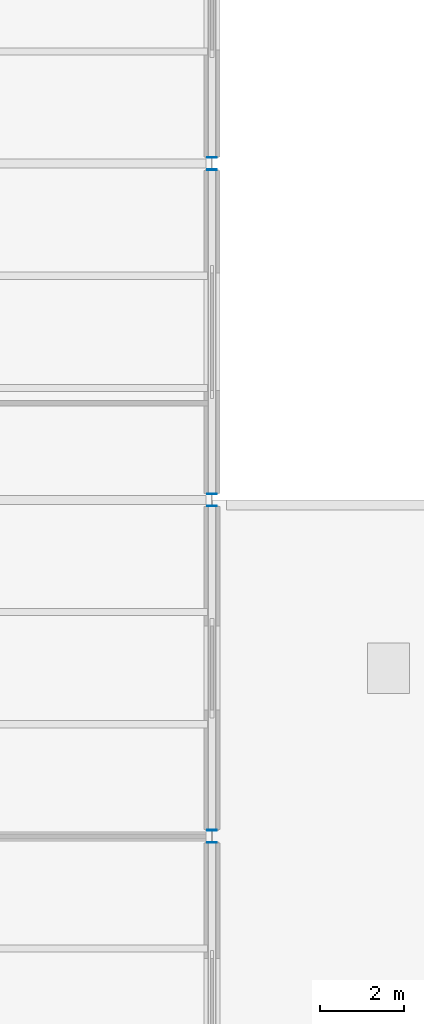
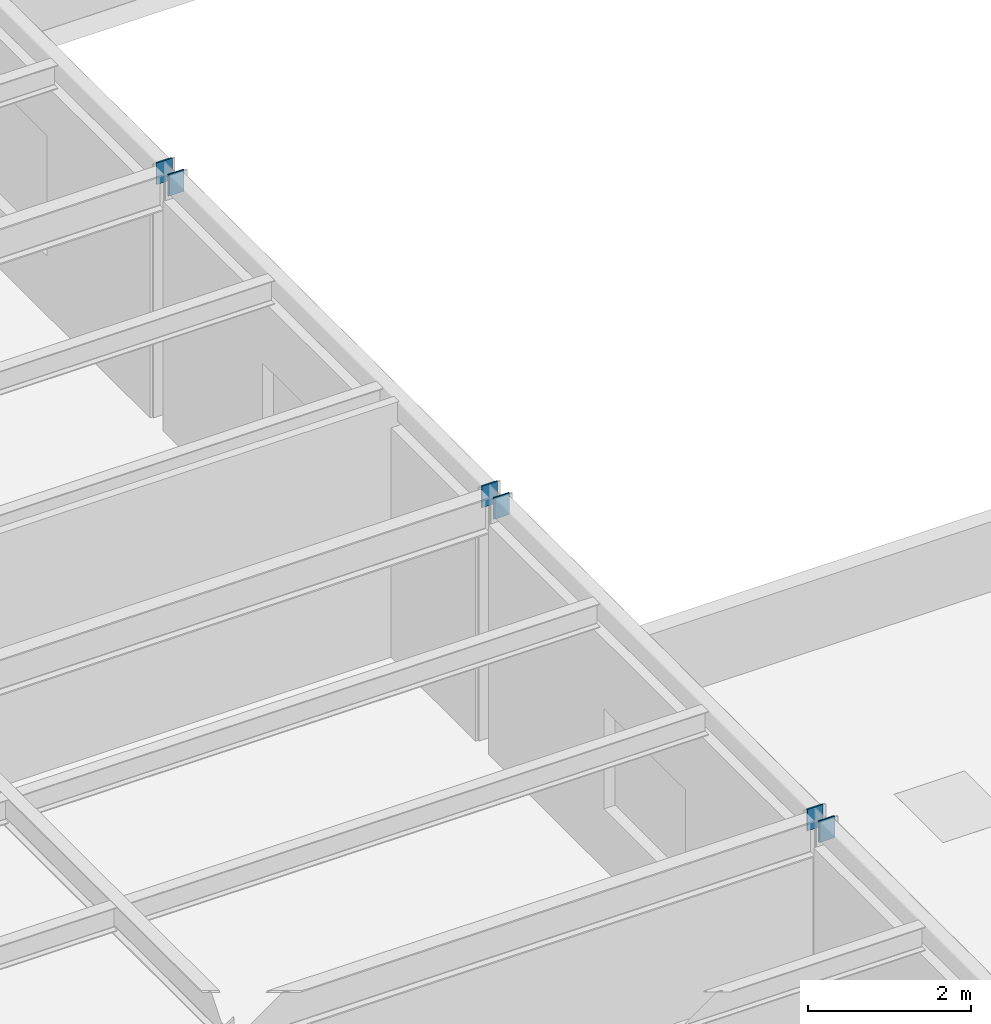
# One storey, part 120 of 138: 6 discrete accessories.
"""IFC4 building model written with IfcOpenShell, lengths in metres."""

from ifc_helpers import new_model, si_unit, direction, frame, origin, origin_2d, place, context, subcontext, project, spatial, rectangle, extrude, material, layer, layer_set, type_object, element, save


model = new_model("IFC4")

# Units and contexts
model_context = context("Model", 3, precision=1e-05, world=origin(), true_north=direction((0.0, 1.0)))
body_context = subcontext(model_context, "Body", "Model", "MODEL_VIEW")
ifc_project = project(units=[si_unit("LENGTHUNIT", "METRE"), si_unit("AREAUNIT", "SQUARE_METRE"), si_unit("VOLUMEUNIT", "CUBIC_METRE"), si_unit("PLANEANGLEUNIT", "RADIAN"), si_unit("MASSUNIT", "GRAM", prefix="KILO")], contexts=[model_context])

# Site, building, storey
site_placement = place(None, origin())
site = spatial("IfcSite", under=ifc_project, at=site_placement, CompositionType="ELEMENT")
building_placement = place(site_placement, origin())
building = spatial("IfcBuilding", under=site, at=building_placement, Name="Kranzveld Transit Interchange", CompositionType="ELEMENT")
storey_placement = place(building_placement, frame((0.0, 0.0, 5.43994140625)))
storey = spatial("IfcBuildingStorey", under=building, at=storey_placement, Name="L01", CompositionType="ELEMENT", Elevation=5.43994140625)

# Discrete accessories
ifc_material = material(Name="Steel S355JR", Category="steel")
ifc_layer = layer(ifc_material, 0.02001953125)
ifc_layer_set = layer_set([ifc_layer], Name="Steel S355JR")
discrete_accessory_type = type_object("IfcDiscreteAccessoryType", Name="Hollow Section End Cap Bracket 20 S355JR", PredefinedType="BRACKET", material=ifc_layer_set)
for number, where, z_axis, x_axis, name in (
    (1, (134.39990234375, 31.845703125, 3.650146484375), (0.0, 1.0, 0.0), (-1.0, 0.0, 0.0), "Hollow Section End Cap SP-RHS300-2"),
    (2, (134.39990234375, 32.154296875, 3.650146484375), (0.0, -1.0, 0.0), (1.0, 0.0, 0.0), "Hollow Section End Cap SP-RHS300-1"),
    (3, (134.39990234375, 39.845703125, 3.650146484375), (0.0, 1.0, 0.0), (-1.0, 0.0, 0.0), "Hollow Section End Cap SP-RHS300-2"),
    (4, (134.39990234375, 40.154296875, 3.650146484375), (0.0, -1.0, 0.0), (1.0, 0.0, 0.0), "Hollow Section End Cap SP-RHS300-1"),
    (5, (134.39990234375, 47.845703125, 3.650146484375), (0.0, 1.0, 0.0), (-1.0, 0.0, 0.0), "Hollow Section End Cap SP-RHS300-2"),
    (6, (134.39990234375, 48.154296875, 3.650146484375), (0.0, -1.0, 0.0), (1.0, 0.0, 0.0), "Hollow Section End Cap SP-RHS300-1"),
):
    element("IfcDiscreteAccessory", number, at=place(storey_placement, frame(where, z_axis=z_axis, x_axis=x_axis)), inside=storey, type_object=discrete_accessory_type, Name=name, PredefinedType="BRACKET", context=body_context, shape_type="SweptSolid", body=[
        extrude(rectangle(XDim=0.22412109375, YDim=0.323974609375, at=origin_2d()), origin(), (0.0, 0.0, 1.0), 0.02001953125),
    ])

save(model, "model.ifc")
